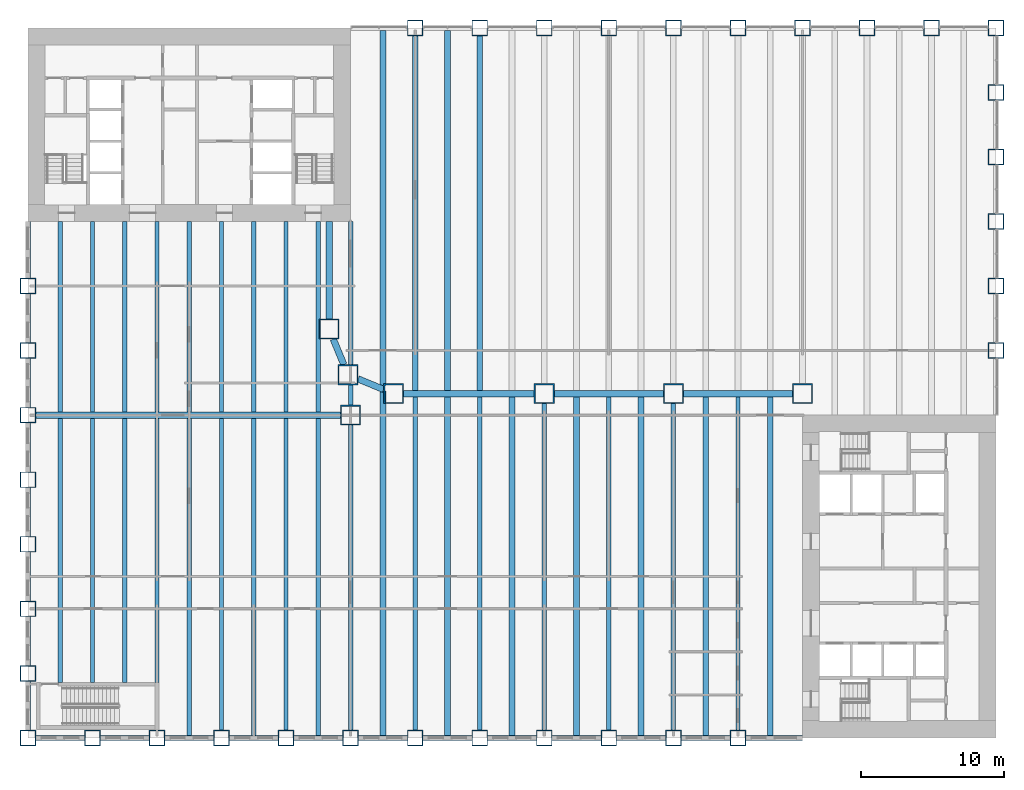
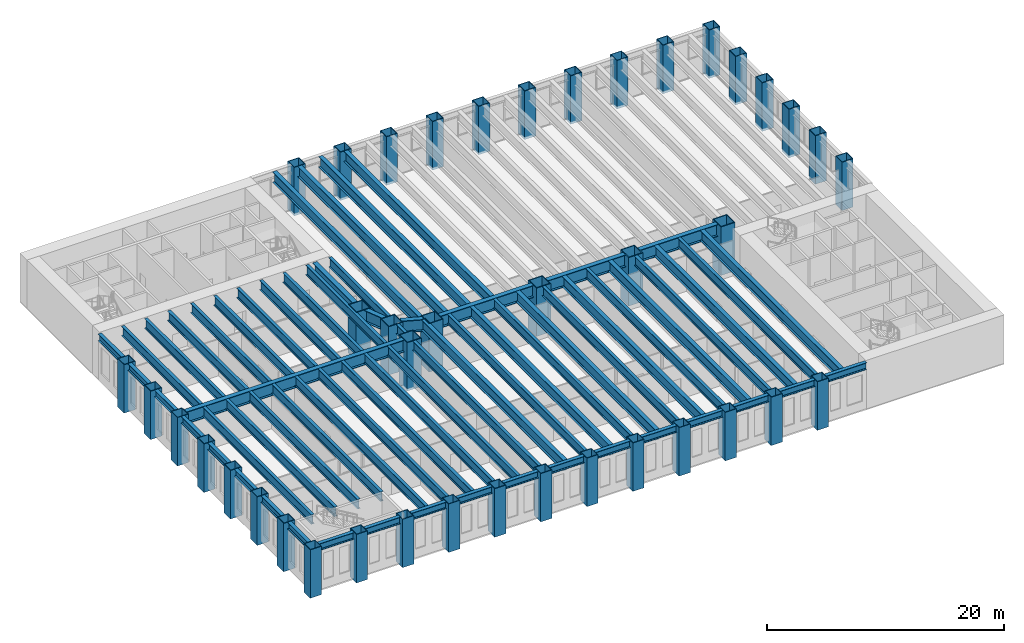
# One storey, part 1 of 19: 65 beams, 41 columns.
"""IFC4 building model written with IfcOpenShell, lengths in metres."""

from ifc_helpers import new_model, si_unit, direction, frame, origin, origin_2d, place, context, subcontext, project, spatial, hollow_rectangle, i_section, extrude, material, material_profile, profile_set, type_object, element, save


model = new_model("IFC4")

# Units and contexts
model_context = context("Model", 3, precision=1e-05, world=origin(), true_north=direction((0.0, 1.0)))
body_context = subcontext(model_context, "Body", "Model", "MODEL_VIEW")
ifc_project = project(units=[si_unit("LENGTHUNIT", "METRE"), si_unit("AREAUNIT", "SQUARE_METRE"), si_unit("VOLUMEUNIT", "CUBIC_METRE"), si_unit("PLANEANGLEUNIT", "RADIAN"), si_unit("MASSUNIT", "GRAM", prefix="KILO")], contexts=[model_context])

# Site, building, storey
site_placement = place(None, origin())
site = spatial("IfcSite", under=ifc_project, at=site_placement, CompositionType="ELEMENT")
building_placement = place(site_placement, origin())
building = spatial("IfcBuilding", under=site, at=building_placement, Name="Sennacour Bend Tower", CompositionType="ELEMENT")
storey_placement = place(building_placement, frame((0.0, 0.0, 19.0)))
storey = spatial("IfcBuildingStorey", under=building, at=storey_placement, Name="L03", CompositionType="ELEMENT", Elevation=19.0)

# Columns
ifc_material_1 = material(Name="Steel ASTM A572 Grade 50", Category="steel")
ifc_material_profile_1 = material_profile(ifc_material_1, hollow_rectangle(XDim=1.10009765625, YDim=1.10009765625, WallThickness=0.06005859375, at=origin_2d()), Name="Steel ASTM A572 Grade 50", Category="steel")
ifc_profile_set_1 = profile_set([ifc_material_profile_1], Name="Steel ASTM A572 Grade 50")
column_type_1 = type_object("IfcColumnType", Name="Box column 1100", PredefinedType="COLUMN", material=ifc_profile_set_1)
for number, where, z_axis, x_axis, name in (
    (1, (0.0, 0.0, -0.25), (0.0, 0.0, 1.0), (1.0, 0.0, 0.0), "Perimeter column C1 L03-001"),
    (2, (0.0, 4.5, -0.25), (0.0, 0.0, 1.0), (1.0, 0.0, 0.0), "Perimeter column C1 L03-002"),
    (3, (0.0, 9.0, -0.25), (0.0, 0.0, 1.0), (1.0, 0.0, 0.0), "Perimeter column C1 L03-003"),
    (4, (0.0, 13.5, -0.25), (0.0, 0.0, 1.0), (1.0, 0.0, 0.0), "Perimeter column C1 L03-004"),
    (5, (0.0, 18.0, -0.25), (0.0, 0.0, 1.0), (1.0, 0.0, 0.0), "Perimeter column C1 L03-005"),
    (6, (0.0, 22.5, -0.25), (0.0, 0.0, 1.0), (1.0, 0.0, 0.0), "Perimeter column C1 L03-006"),
    (7, (0.0, 27.0, -0.25), (0.0, 0.0, 1.0), (1.0, 0.0, 0.0), "Perimeter column C1 L03-007"),
    (8, (0.0, 31.5, -0.25), (0.0, 0.0, 1.0), (1.0, 0.0, 0.0), "Perimeter column C1 L03-008"),
    (9, (4.5, 0.0, -0.25), (0.0, 0.0, 1.0), (1.0, 0.0, 0.0), "Perimeter column C1 L03-009"),
    (10, (9.0, 0.0, -0.25), (0.0, 0.0, 1.0), (1.0, 0.0, 0.0), "Perimeter column C1 L03-010"),
    (11, (13.5, 0.0, -0.25), (0.0, 0.0, 1.0), (1.0, 0.0, 0.0), "Perimeter column C1 L03-011"),
    (12, (18.0, 0.0, -0.25), (0.0, 0.0, 1.0), (1.0, 0.0, 0.0), "Perimeter column C1 L03-012"),
    (13, (22.5, 0.0, -0.25), (0.0, 0.0, 1.0), (1.0, 0.0, 0.0), "Perimeter column C1 L03-015"),
    (14, (27.0, 0.0, -0.25), (0.0, 0.0, 1.0), (1.0, 0.0, 0.0), "Perimeter column C1 L03-018"),
    (15, (27.0, 49.5, -0.25), (0.0, 0.0, 1.0), (1.0, 0.0, 0.0), "Perimeter column C1 L03-019"),
    (16, (31.5, 0.0, -0.25), (0.0, 0.0, 1.0), (1.0, 0.0, 0.0), "Perimeter column C1 L03-020"),
    (17, (31.5, 49.5, -0.25), (0.0, 0.0, 1.0), (1.0, 0.0, 0.0), "Perimeter column C1 L03-021"),
    (18, (36.0, 0.0, -0.25), (0.0, 0.0, 1.0), (1.0, 0.0, 0.0), "Perimeter column C1 L03-022"),
    (19, (36.0, 49.5, -0.25), (0.0, 0.0, 1.0), (1.0, 0.0, 0.0), "Perimeter column C1 L03-024"),
    (20, (40.5, 0.0, -0.25), (0.0, 0.0, 1.0), (1.0, 0.0, 0.0), "Perimeter column C1 L03-025"),
    (21, (40.5, 49.5, -0.25), (0.0, 0.0, 1.0), (1.0, 0.0, 0.0), "Perimeter column C1 L03-026"),
    (22, (45.0, 0.0, -0.25), (0.0, 0.0, 1.0), (1.0, 0.0, 0.0), "Perimeter column C1 L03-027"),
    (23, (45.0, 49.5, -0.25), (0.0, 0.0, 1.0), (1.0, 0.0, 0.0), "Perimeter column C1 L03-029"),
    (24, (49.5, 0.0, -0.25), (0.0, 0.0, 1.0), (1.0, 0.0, 0.0), "Perimeter column C1 L03-030"),
    (25, (49.5, 49.5, -0.25), (0.0, 0.0, 1.0), (1.0, 0.0, 0.0), "Perimeter column C1 L03-031"),
    (26, (54.0, 49.5, -0.25), (0.0, 0.0, 1.0), (1.0, 0.0, 0.0), "Perimeter column C1 L03-033"),
    (27, (58.5, 49.5, -0.25), (0.0, 0.0, 1.0), (1.0, 0.0, 0.0), "Perimeter column C1 L03-034"),
    (28, (63.0, 49.5, -0.25), (0.0, 0.0, 1.0), (1.0, 0.0, 0.0), "Perimeter column C1 L03-035"),
    (29, (67.5, 27.0, -0.25), (0.0, 0.0, 1.0), (1.0, 0.0, 0.0), "Perimeter column C1 L03-036"),
    (30, (67.5, 31.5, -0.25), (0.0, 0.0, 1.0), (1.0, 0.0, 0.0), "Perimeter column C1 L03-037"),
    (31, (67.5, 36.0, -0.25), (0.0, 0.0, 1.0), (1.0, 0.0, 0.0), "Perimeter column C1 L03-038"),
    (32, (67.5, 40.5, -0.25), (0.0, 0.0, 1.0), (1.0, 0.0, 0.0), "Perimeter column C1 L03-039"),
    (33, (67.5, 45.0, -0.25), (0.0, 0.0, 1.0), (1.0, 0.0, 0.0), "Perimeter column C1 L03-040"),
    (34, (67.5, 49.5, -0.25), (0.0, 0.0, 1.0), (1.0, 0.0, 0.0), "Perimeter column C1 L03-041"),
):
    element("IfcColumn", number, at=place(storey_placement, frame(where, z_axis=z_axis, x_axis=x_axis)), inside=storey, type_object=column_type_1, Name=name, PredefinedType="COLUMN", context=body_context, shape_type="SweptSolid", body=[
        extrude(hollow_rectangle(XDim=1.10009765625, YDim=1.10009765625, WallThickness=0.06005859375, at=origin_2d()), origin(), (0.0, 0.0, 1.0), 5.0),
    ])
ifc_material_profile_2 = material_profile(ifc_material_1, hollow_rectangle(XDim=1.39990234375, YDim=1.39990234375, WallThickness=0.080078125, at=origin_2d()), Name="Steel ASTM A572 Grade 50", Category="steel")
ifc_profile_set_2 = profile_set([ifc_material_profile_2], Name="Steel ASTM A572 Grade 50")
column_type_2 = type_object("IfcColumnType", Name="Mega box column 1400", PredefinedType="COLUMN", material=ifc_profile_set_2)
for number, where, z_axis, x_axis, name in (
    (35, (21.0, 28.5, -0.25), (0.0, 0.0, 1.0), (1.0, 0.0, 0.0), "Mega column C0 L03-013"),
    (36, (22.318115234375, 25.318115234375, -0.25), (0.0, 0.0, 1.0), (1.0, 0.0, 0.0), "Mega column C0 L03-014"),
    (37, (22.5, 22.5, -0.25), (0.0, 0.0, 1.0), (1.0, 0.0, 0.0), "Knuckle column C0 L03-016"),
    (38, (25.5, 24.0, -0.25), (0.0, 0.0, 1.0), (1.0, 0.0, 0.0), "Mega column C0 L03-017"),
    (39, (36.0, 24.0, -0.25), (0.0, 0.0, 1.0), (1.0, 0.0, 0.0), "Mega column C0 L03-023"),
    (40, (45.0, 24.0, -0.25), (0.0, 0.0, 1.0), (1.0, 0.0, 0.0), "Mega column C0 L03-028"),
    (41, (54.0, 24.0, -0.25), (0.0, 0.0, 1.0), (1.0, 0.0, 0.0), "Mega column C0 L03-032"),
):
    element("IfcColumn", number, at=place(storey_placement, frame(where, z_axis=z_axis, x_axis=x_axis)), inside=storey, type_object=column_type_2, Name=name, PredefinedType="COLUMN", context=body_context, shape_type="SweptSolid", body=[
        extrude(hollow_rectangle(XDim=1.39990234375, YDim=1.39990234375, WallThickness=0.080078125, at=origin_2d()), origin(), (0.0, 0.0, 1.0), 5.0),
    ])

# Beams
ifc_material_2 = material(Name="Steel ASTM A992 Grade 50", Category="steel")
ifc_material_profile_3 = material_profile(ifc_material_2, i_section(OverallWidth=0.300048828125, OverallDepth=0.990966796875, WebThickness=0.0166015625, FlangeThickness=0.030517578125, FilletRadius=0.030029296875, at=origin_2d()), Name="Steel ASTM A992 Grade 50", Category="steel")
ifc_profile_set_3 = profile_set([ifc_material_profile_3], Name="Steel ASTM A992 Grade 50")
beam_type_1 = type_object("IfcBeamType", Name="Floor beam W1000X272", PredefinedType="BEAM", material=ifc_profile_set_3)
beam_1_placement = place(storey_placement, frame((2.25, 3.875, 4.25439453125), z_axis=(0.0, 1.0, 0.0), x_axis=(-1.0, 0.0, 0.0)))
element("IfcBeam", 42, at=beam_1_placement, inside=storey, type_object=beam_type_1, Name="Floor beam FBM3 L04-001", PredefinedType="BEAM", context=body_context, shape_type="SweptSolid", body=[
    extrude(i_section(OverallWidth=0.300048828125, OverallDepth=0.990966796875, WebThickness=0.0166015625, FlangeThickness=0.030517578125, FilletRadius=0.030029296875, at=origin_2d()), origin(), (0.0, 0.0, 1.0), 18.39990234375),
])
beam_2_placement = place(storey_placement, frame((2.25, 22.72509765625, 4.25439453125), z_axis=(0.0, 1.0, 0.0), x_axis=(-1.0, 0.0, 0.0)))
element("IfcBeam", 43, at=beam_2_placement, inside=storey, type_object=beam_type_1, Name="Floor beam FBM3 L04-002", PredefinedType="BEAM", context=body_context, shape_type="SweptSolid", body=[
    extrude(i_section(OverallWidth=0.300048828125, OverallDepth=0.990966796875, WebThickness=0.0166015625, FlangeThickness=0.030517578125, FilletRadius=0.030029296875, at=origin_2d()), origin(), (0.0, 0.0, 1.0), 13.27490234375),
])
beam_3_placement = place(storey_placement, frame((4.5, 3.875, 4.25439453125), z_axis=(0.0, 1.0, 0.0), x_axis=(-1.0, 0.0, 0.0)))
element("IfcBeam", 44, at=beam_3_placement, inside=storey, type_object=beam_type_1, Name="Floor beam FBM3 L04-003", PredefinedType="BEAM", context=body_context, shape_type="SweptSolid", body=[
    extrude(i_section(OverallWidth=0.300048828125, OverallDepth=0.990966796875, WebThickness=0.0166015625, FlangeThickness=0.030517578125, FilletRadius=0.030029296875, at=origin_2d()), origin(), (0.0, 0.0, 1.0), 18.39990234375),
])
beam_4_placement = place(storey_placement, frame((4.5, 22.72509765625, 4.25439453125), z_axis=(0.0, 1.0, 0.0), x_axis=(-1.0, 0.0, 0.0)))
element("IfcBeam", 45, at=beam_4_placement, inside=storey, type_object=beam_type_1, Name="Floor beam FBM3 L04-004", PredefinedType="BEAM", context=body_context, shape_type="SweptSolid", body=[
    extrude(i_section(OverallWidth=0.300048828125, OverallDepth=0.990966796875, WebThickness=0.0166015625, FlangeThickness=0.030517578125, FilletRadius=0.030029296875, at=origin_2d()), origin(), (0.0, 0.0, 1.0), 13.27490234375),
])
beam_5_placement = place(storey_placement, frame((6.75, 3.875, 4.25439453125), z_axis=(0.0, 1.0, 0.0), x_axis=(-1.0, 0.0, 0.0)))
element("IfcBeam", 46, at=beam_5_placement, inside=storey, type_object=beam_type_1, Name="Floor beam FBM3 L04-005", PredefinedType="BEAM", context=body_context, shape_type="SweptSolid", body=[
    extrude(i_section(OverallWidth=0.300048828125, OverallDepth=0.990966796875, WebThickness=0.0166015625, FlangeThickness=0.030517578125, FilletRadius=0.030029296875, at=origin_2d()), origin(), (0.0, 0.0, 1.0), 18.39990234375),
])
beam_6_placement = place(storey_placement, frame((6.75, 22.72509765625, 4.25439453125), z_axis=(0.0, 1.0, 0.0), x_axis=(-1.0, 0.0, 0.0)))
element("IfcBeam", 47, at=beam_6_placement, inside=storey, type_object=beam_type_1, Name="Floor beam FBM3 L04-006", PredefinedType="BEAM", context=body_context, shape_type="SweptSolid", body=[
    extrude(i_section(OverallWidth=0.300048828125, OverallDepth=0.990966796875, WebThickness=0.0166015625, FlangeThickness=0.030517578125, FilletRadius=0.030029296875, at=origin_2d()), origin(), (0.0, 0.0, 1.0), 13.27490234375),
])
beam_7_placement = place(storey_placement, frame((9.0, 3.875, 4.25439453125), z_axis=(0.0, 1.0, 0.0), x_axis=(-1.0, 0.0, 0.0)))
element("IfcBeam", 48, at=beam_7_placement, inside=storey, type_object=beam_type_1, Name="Floor beam FBM3 L04-007", PredefinedType="BEAM", context=body_context, shape_type="SweptSolid", body=[
    extrude(i_section(OverallWidth=0.300048828125, OverallDepth=0.990966796875, WebThickness=0.0166015625, FlangeThickness=0.030517578125, FilletRadius=0.030029296875, at=origin_2d()), origin(), (0.0, 0.0, 1.0), 18.39990234375),
])
beam_8_placement = place(storey_placement, frame((9.0, 22.72509765625, 4.25439453125), z_axis=(0.0, 1.0, 0.0), x_axis=(-1.0, 0.0, 0.0)))
element("IfcBeam", 49, at=beam_8_placement, inside=storey, type_object=beam_type_1, Name="Floor beam FBM3 L04-008", PredefinedType="BEAM", context=body_context, shape_type="SweptSolid", body=[
    extrude(i_section(OverallWidth=0.300048828125, OverallDepth=0.990966796875, WebThickness=0.0166015625, FlangeThickness=0.030517578125, FilletRadius=0.030029296875, at=origin_2d()), origin(), (0.0, 0.0, 1.0), 13.27490234375),
])
beam_9_placement = place(storey_placement, frame((11.25, 0.177978515625, 4.25439453125), z_axis=(0.0, 1.0, 0.0), x_axis=(-1.0, 0.0, 0.0)))
element("IfcBeam", 50, at=beam_9_placement, inside=storey, type_object=beam_type_1, Name="Floor beam FBM3 L04-009", PredefinedType="BEAM", context=body_context, shape_type="SweptSolid", body=[
    extrude(i_section(OverallWidth=0.300048828125, OverallDepth=0.990966796875, WebThickness=0.0166015625, FlangeThickness=0.030517578125, FilletRadius=0.030029296875, at=origin_2d()), origin(), (0.0, 0.0, 1.0), 22.096923828125),
])
beam_10_placement = place(storey_placement, frame((11.25, 22.72509765625, 4.25439453125), z_axis=(0.0, 1.0, 0.0), x_axis=(-1.0, 0.0, 0.0)))
element("IfcBeam", 51, at=beam_10_placement, inside=storey, type_object=beam_type_1, Name="Floor beam FBM3 L04-010", PredefinedType="BEAM", context=body_context, shape_type="SweptSolid", body=[
    extrude(i_section(OverallWidth=0.300048828125, OverallDepth=0.990966796875, WebThickness=0.0166015625, FlangeThickness=0.030517578125, FilletRadius=0.030029296875, at=origin_2d()), origin(), (0.0, 0.0, 1.0), 13.27490234375),
])
beam_11_placement = place(storey_placement, frame((13.5, 0.550048828125, 4.25439453125), z_axis=(0.0, 1.0, 0.0), x_axis=(-1.0, 0.0, 0.0)))
element("IfcBeam", 52, at=beam_11_placement, inside=storey, type_object=beam_type_1, Name="Floor beam FBM3 L04-011", PredefinedType="BEAM", context=body_context, shape_type="SweptSolid", body=[
    extrude(i_section(OverallWidth=0.300048828125, OverallDepth=0.990966796875, WebThickness=0.0166015625, FlangeThickness=0.030517578125, FilletRadius=0.030029296875, at=origin_2d()), origin(), (0.0, 0.0, 1.0), 21.724853515625),
])
beam_12_placement = place(storey_placement, frame((13.5, 22.72509765625, 4.25439453125), z_axis=(0.0, 1.0, 0.0), x_axis=(-1.0, 0.0, 0.0)))
element("IfcBeam", 53, at=beam_12_placement, inside=storey, type_object=beam_type_1, Name="Floor beam FBM3 L04-012", PredefinedType="BEAM", context=body_context, shape_type="SweptSolid", body=[
    extrude(i_section(OverallWidth=0.300048828125, OverallDepth=0.990966796875, WebThickness=0.0166015625, FlangeThickness=0.030517578125, FilletRadius=0.030029296875, at=origin_2d()), origin(), (0.0, 0.0, 1.0), 13.27490234375),
])
beam_13_placement = place(storey_placement, frame((15.75, 0.177978515625, 4.25439453125), z_axis=(0.0, 1.0, 0.0), x_axis=(-1.0, 0.0, 0.0)))
element("IfcBeam", 54, at=beam_13_placement, inside=storey, type_object=beam_type_1, Name="Floor beam FBM3 L04-013", PredefinedType="BEAM", context=body_context, shape_type="SweptSolid", body=[
    extrude(i_section(OverallWidth=0.300048828125, OverallDepth=0.990966796875, WebThickness=0.0166015625, FlangeThickness=0.030517578125, FilletRadius=0.030029296875, at=origin_2d()), origin(), (0.0, 0.0, 1.0), 22.096923828125),
])
beam_14_placement = place(storey_placement, frame((15.75, 22.72509765625, 4.25439453125), z_axis=(0.0, 1.0, 0.0), x_axis=(-1.0, 0.0, 0.0)))
element("IfcBeam", 55, at=beam_14_placement, inside=storey, type_object=beam_type_1, Name="Floor beam FBM3 L04-014", PredefinedType="BEAM", context=body_context, shape_type="SweptSolid", body=[
    extrude(i_section(OverallWidth=0.300048828125, OverallDepth=0.990966796875, WebThickness=0.0166015625, FlangeThickness=0.030517578125, FilletRadius=0.030029296875, at=origin_2d()), origin(), (0.0, 0.0, 1.0), 13.27490234375),
])
beam_15_placement = place(storey_placement, frame((18.0, 0.550048828125, 4.25439453125), z_axis=(0.0, 1.0, 0.0), x_axis=(-1.0, 0.0, 0.0)))
element("IfcBeam", 56, at=beam_15_placement, inside=storey, type_object=beam_type_1, Name="Floor beam FBM3 L04-015", PredefinedType="BEAM", context=body_context, shape_type="SweptSolid", body=[
    extrude(i_section(OverallWidth=0.300048828125, OverallDepth=0.990966796875, WebThickness=0.0166015625, FlangeThickness=0.030517578125, FilletRadius=0.030029296875, at=origin_2d()), origin(), (0.0, 0.0, 1.0), 21.724853515625),
])
beam_16_placement = place(storey_placement, frame((18.0, 22.72509765625, 4.25439453125), z_axis=(0.0, 1.0, 0.0), x_axis=(-1.0, 0.0, 0.0)))
element("IfcBeam", 57, at=beam_16_placement, inside=storey, type_object=beam_type_1, Name="Floor beam FBM3 L04-016", PredefinedType="BEAM", context=body_context, shape_type="SweptSolid", body=[
    extrude(i_section(OverallWidth=0.300048828125, OverallDepth=0.990966796875, WebThickness=0.0166015625, FlangeThickness=0.030517578125, FilletRadius=0.030029296875, at=origin_2d()), origin(), (0.0, 0.0, 1.0), 13.27490234375),
])
beam_17_placement = place(storey_placement, frame((20.25, 0.177978515625, 4.25439453125), z_axis=(0.0, 1.0, 0.0), x_axis=(-1.0, 0.0, 0.0)))
element("IfcBeam", 58, at=beam_17_placement, inside=storey, type_object=beam_type_1, Name="Floor beam FBM3 L04-017", PredefinedType="BEAM", context=body_context, shape_type="SweptSolid", body=[
    extrude(i_section(OverallWidth=0.300048828125, OverallDepth=0.990966796875, WebThickness=0.0166015625, FlangeThickness=0.030517578125, FilletRadius=0.030029296875, at=origin_2d()), origin(), (0.0, 0.0, 1.0), 22.096923828125),
])
beam_18_placement = place(storey_placement, frame((20.25, 22.72509765625, 4.25439453125), z_axis=(0.0, 1.0, 0.0), x_axis=(-1.0, 0.0, 0.0)))
element("IfcBeam", 59, at=beam_18_placement, inside=storey, type_object=beam_type_1, Name="Floor beam FBM3 L04-018", PredefinedType="BEAM", context=body_context, shape_type="SweptSolid", body=[
    extrude(i_section(OverallWidth=0.300048828125, OverallDepth=0.990966796875, WebThickness=0.0166015625, FlangeThickness=0.030517578125, FilletRadius=0.030029296875, at=origin_2d()), origin(), (0.0, 0.0, 1.0), 13.27490234375),
])
beam_19_placement = place(storey_placement, frame((22.5, 0.550048828125, 4.25439453125), z_axis=(0.0, 1.0, 0.0), x_axis=(-1.0, 0.0, 0.0)))
element("IfcBeam", 60, at=beam_19_placement, inside=storey, type_object=beam_type_1, Name="Floor beam FBM3 L04-019", PredefinedType="BEAM", context=body_context, shape_type="SweptSolid", body=[
    extrude(i_section(OverallWidth=0.300048828125, OverallDepth=0.990966796875, WebThickness=0.0166015625, FlangeThickness=0.030517578125, FilletRadius=0.030029296875, at=origin_2d()), origin(), (0.0, 0.0, 1.0), 21.25),
])
beam_20_placement = place(storey_placement, frame((22.5, 23.199951171875, 4.25439453125), z_axis=(0.0, 1.0, 0.0), x_axis=(-1.0, 0.0, 0.0)))
element("IfcBeam", 61, at=beam_20_placement, inside=storey, type_object=beam_type_1, Name="Floor beam FBM3 L04-020", PredefinedType="BEAM", context=body_context, shape_type="SweptSolid", body=[
    extrude(i_section(OverallWidth=0.300048828125, OverallDepth=0.990966796875, WebThickness=0.0166015625, FlangeThickness=0.030517578125, FilletRadius=0.030029296875, at=origin_2d()), origin(), (0.0, 0.0, 1.0), 1.41796875),
])
beam_21_placement = place(storey_placement, frame((22.5, 26.01806640625, 4.25439453125), z_axis=(0.0, 1.0, 0.0), x_axis=(-1.0, 0.0, 0.0)))
element("IfcBeam", 62, at=beam_21_placement, inside=storey, type_object=beam_type_1, Name="Floor beam FBM3 L04-021", PredefinedType="BEAM", context=body_context, shape_type="SweptSolid", body=[
    extrude(i_section(OverallWidth=0.300048828125, OverallDepth=0.990966796875, WebThickness=0.0166015625, FlangeThickness=0.030517578125, FilletRadius=0.030029296875, at=origin_2d()), origin(), (0.0, 0.0, 1.0), 9.98193359375),
])
for number, where, z_axis, x_axis, name in (
    (63, (27.0, 0.550048828125, 4.25439453125), (0.0, 1.0, 0.0), (-1.0, 0.0, 0.0), "Floor beam FBM3 L04-024"),
    (64, (31.5, 0.550048828125, 4.25439453125), (0.0, 1.0, 0.0), (-1.0, 0.0, 0.0), "Floor beam FBM3 L04-028"),
):
    element("IfcBeam", number, at=place(storey_placement, frame(where, z_axis=z_axis, x_axis=x_axis)), inside=storey, type_object=beam_type_1, Name=name, PredefinedType="BEAM", context=body_context, shape_type="SweptSolid", body=[
        extrude(i_section(OverallWidth=0.300048828125, OverallDepth=0.990966796875, WebThickness=0.0166015625, FlangeThickness=0.030517578125, FilletRadius=0.030029296875, at=origin_2d()), origin(), (0.0, 0.0, 1.0), 23.224853515625),
    ])
beam_22_placement = place(storey_placement, frame((36.0, 0.550048828125, 4.25439453125), z_axis=(0.0, 1.0, 0.0), x_axis=(-1.0, 0.0, 0.0)))
element("IfcBeam", 65, at=beam_22_placement, inside=storey, type_object=beam_type_1, Name="Floor beam FBM3 L04-032", PredefinedType="BEAM", context=body_context, shape_type="SweptSolid", body=[
    extrude(i_section(OverallWidth=0.300048828125, OverallDepth=0.990966796875, WebThickness=0.0166015625, FlangeThickness=0.030517578125, FilletRadius=0.030029296875, at=origin_2d()), origin(), (0.0, 0.0, 1.0), 22.75),
])
beam_23_placement = place(storey_placement, frame((40.5, 0.550048828125, 4.25439453125), z_axis=(0.0, 1.0, 0.0), x_axis=(-1.0, 0.0, 0.0)))
element("IfcBeam", 66, at=beam_23_placement, inside=storey, type_object=beam_type_1, Name="Floor beam FBM3 L04-036", PredefinedType="BEAM", context=body_context, shape_type="SweptSolid", body=[
    extrude(i_section(OverallWidth=0.300048828125, OverallDepth=0.990966796875, WebThickness=0.0166015625, FlangeThickness=0.030517578125, FilletRadius=0.030029296875, at=origin_2d()), origin(), (0.0, 0.0, 1.0), 23.224853515625),
])
beam_24_placement = place(storey_placement, frame((45.0, 0.550048828125, 4.25439453125), z_axis=(0.0, 1.0, 0.0), x_axis=(-1.0, 0.0, 0.0)))
element("IfcBeam", 67, at=beam_24_placement, inside=storey, type_object=beam_type_1, Name="Floor beam FBM3 L04-040", PredefinedType="BEAM", context=body_context, shape_type="SweptSolid", body=[
    extrude(i_section(OverallWidth=0.300048828125, OverallDepth=0.990966796875, WebThickness=0.0166015625, FlangeThickness=0.030517578125, FilletRadius=0.030029296875, at=origin_2d()), origin(), (0.0, 0.0, 1.0), 22.75),
])
beam_25_placement = place(storey_placement, frame((49.5, 0.550048828125, 4.25439453125), z_axis=(0.0, 1.0, 0.0), x_axis=(-1.0, 0.0, 0.0)))
element("IfcBeam", 68, at=beam_25_placement, inside=storey, type_object=beam_type_1, Name="Floor beam FBM3 L04-044", PredefinedType="BEAM", context=body_context, shape_type="SweptSolid", body=[
    extrude(i_section(OverallWidth=0.300048828125, OverallDepth=0.990966796875, WebThickness=0.0166015625, FlangeThickness=0.030517578125, FilletRadius=0.030029296875, at=origin_2d()), origin(), (0.0, 0.0, 1.0), 23.224853515625),
])
ifc_material_profile_4 = material_profile(ifc_material_1, i_section(OverallWidth=0.449951171875, OverallDepth=1.25, WebThickness=0.028076171875, FlangeThickness=0.050048828125, at=origin_2d()), Name="Steel ASTM A572 Grade 50", Category="steel")
ifc_profile_set_4 = profile_set([ifc_material_profile_4], Name="Steel ASTM A572 Grade 50")
beam_type_2 = type_object("IfcBeamType", Name="Knuckle girder 1250", PredefinedType="USERDEFINED", material=ifc_profile_set_4)
for number, where, z_axis, x_axis, name in (
    (69, (24.800048828125, 24.2900390625, 4.125), (-0.923894961945, 0.382646180293, 0.0), (-0.382646180293, -0.923894961945, 0.0), "Podium girder GK L04-001"),
    (70, (22.028076171875, 26.01806640625, 4.125), (-0.382646180293, 0.923894961945, 0.0), (-0.923894961945, -0.382646180293, 0.0), "Podium girder GK L04-002"),
):
    element("IfcBeam", number, at=place(storey_placement, frame(where, z_axis=z_axis, x_axis=x_axis)), inside=storey, type_object=beam_type_2, Name=name, ObjectType="KNUCKLE GIRDER", PredefinedType="USERDEFINED", context=body_context, shape_type="SweptSolid", body=[
        extrude(i_section(OverallWidth=0.449951171875, OverallDepth=1.25, WebThickness=0.028076171875, FlangeThickness=0.050048828125, at=origin_2d()), origin(), (0.0, 0.0, 1.0), 1.9287109375),
    ])
for number, where, z_axis, x_axis, name in (
    (71, (53.300048828125, 24.0, 4.125), (-1.0, 0.0, 0.0), (0.0, -1.0, 0.0), "Podium girder GK L04-003"),
    (72, (44.300048828125, 24.0, 4.125), (-1.0, 0.0, 0.0), (0.0, -1.0, 0.0), "Podium girder GK L04-004"),
):
    element("IfcBeam", number, at=place(storey_placement, frame(where, z_axis=z_axis, x_axis=x_axis)), inside=storey, type_object=beam_type_2, Name=name, ObjectType="KNUCKLE GIRDER", PredefinedType="USERDEFINED", context=body_context, shape_type="SweptSolid", body=[
        extrude(i_section(OverallWidth=0.449951171875, OverallDepth=1.25, WebThickness=0.028076171875, FlangeThickness=0.050048828125, at=origin_2d()), origin(), (0.0, 0.0, 1.0), 7.60009765625),
    ])
beam_26_placement = place(storey_placement, frame((35.300048828125, 24.0, 4.125), z_axis=(-1.0, 0.0, 0.0), x_axis=(0.0, -1.0, 0.0)))
element("IfcBeam", 73, at=beam_26_placement, inside=storey, type_object=beam_type_2, Name="Podium girder GK L04-005", ObjectType="KNUCKLE GIRDER", PredefinedType="USERDEFINED", context=body_context, shape_type="SweptSolid", body=[
    extrude(i_section(OverallWidth=0.449951171875, OverallDepth=1.25, WebThickness=0.028076171875, FlangeThickness=0.050048828125, at=origin_2d()), origin(), (0.0, 0.0, 1.0), 9.10009765625),
])
beam_27_placement = place(storey_placement, frame((21.0, 29.199951171875, 4.125), z_axis=(0.0, 1.0, 0.0), x_axis=(-1.0, 0.0, 0.0)))
element("IfcBeam", 74, at=beam_27_placement, inside=storey, type_object=beam_type_2, Name="Podium girder GK L04-006", ObjectType="KNUCKLE GIRDER", PredefinedType="USERDEFINED", context=body_context, shape_type="SweptSolid", body=[
    extrude(i_section(OverallWidth=0.449951171875, OverallDepth=1.25, WebThickness=0.028076171875, FlangeThickness=0.050048828125, at=origin_2d()), origin(), (0.0, 0.0, 1.0), 6.800048828125),
])
beam_28_placement = place(storey_placement, frame((0.550048828125, 22.5, 4.125), z_axis=(1.0, 0.0, 0.0), x_axis=(0.0, 1.0, 0.0)))
element("IfcBeam", 75, at=beam_28_placement, inside=storey, type_object=beam_type_2, Name="Knuckle girder GK L04-001", ObjectType="KNUCKLE GIRDER", PredefinedType="USERDEFINED", context=body_context, shape_type="SweptSolid", body=[
    extrude(i_section(OverallWidth=0.449951171875, OverallDepth=1.25, WebThickness=0.028076171875, FlangeThickness=0.050048828125, at=origin_2d()), origin(), (0.0, 0.0, 1.0), 21.25),
])
ifc_material_profile_5 = material_profile(ifc_material_2, i_section(OverallWidth=0.40087890625, OverallDepth=1.090087890625, WebThickness=0.01806640625, FlangeThickness=0.031005859375, FilletRadius=0.02001953125, at=origin_2d()), Name="Steel ASTM A992 Grade 50", Category="steel")
ifc_profile_set_5 = profile_set([ifc_material_profile_5], Name="Steel ASTM A992 Grade 50")
beam_type_3 = type_object("IfcBeamType", Name="Notch floor beam W1100X343", PredefinedType="BEAM", material=ifc_profile_set_5)
beam_29_placement = place(storey_placement, frame((24.75, 0.177978515625, 4.205078125), z_axis=(0.0, 1.0, 0.0), x_axis=(-1.0, 0.0, 0.0)))
element("IfcBeam", 76, at=beam_29_placement, inside=storey, type_object=beam_type_3, Name="Floor beam FBM4 L04-022", PredefinedType="BEAM", context=body_context, shape_type="SweptSolid", body=[
    extrude(i_section(OverallWidth=0.40087890625, OverallDepth=1.090087890625, WebThickness=0.01806640625, FlangeThickness=0.031005859375, FilletRadius=0.02001953125, at=origin_2d()), origin(), (0.0, 0.0, 1.0), 23.9912109375),
])
beam_30_placement = place(storey_placement, frame((24.75, 24.55419921875, 4.205078125), z_axis=(0.0, 1.0, 0.0), x_axis=(-1.0, 0.0, 0.0)))
element("IfcBeam", 77, at=beam_30_placement, inside=storey, type_object=beam_type_3, Name="Floor beam FBM4 L04-023", PredefinedType="BEAM", context=body_context, shape_type="SweptSolid", body=[
    extrude(i_section(OverallWidth=0.40087890625, OverallDepth=1.090087890625, WebThickness=0.01806640625, FlangeThickness=0.031005859375, FilletRadius=0.02001953125, at=origin_2d()), origin(), (0.0, 0.0, 1.0), 24.767822265625),
])
beam_31_placement = place(storey_placement, frame((27.0, 24.22509765625, 4.205078125), z_axis=(0.0, 1.0, 0.0), x_axis=(-1.0, 0.0, 0.0)))
element("IfcBeam", 78, at=beam_31_placement, inside=storey, type_object=beam_type_3, Name="Floor beam FBM4 L04-025", PredefinedType="BEAM", context=body_context, shape_type="SweptSolid", body=[
    extrude(i_section(OverallWidth=0.40087890625, OverallDepth=1.090087890625, WebThickness=0.01806640625, FlangeThickness=0.031005859375, FilletRadius=0.02001953125, at=origin_2d()), origin(), (0.0, 0.0, 1.0), 24.724853515625),
])
beam_32_placement = place(storey_placement, frame((29.25, 0.177978515625, 4.205078125), z_axis=(0.0, 1.0, 0.0), x_axis=(-1.0, 0.0, 0.0)))
element("IfcBeam", 79, at=beam_32_placement, inside=storey, type_object=beam_type_3, Name="Floor beam FBM4 L04-026", PredefinedType="BEAM", context=body_context, shape_type="SweptSolid", body=[
    extrude(i_section(OverallWidth=0.40087890625, OverallDepth=1.090087890625, WebThickness=0.01806640625, FlangeThickness=0.031005859375, FilletRadius=0.02001953125, at=origin_2d()), origin(), (0.0, 0.0, 1.0), 23.596923828125),
])
beam_33_placement = place(storey_placement, frame((29.25, 24.22509765625, 4.205078125), z_axis=(0.0, 1.0, 0.0), x_axis=(-1.0, 0.0, 0.0)))
element("IfcBeam", 80, at=beam_33_placement, inside=storey, type_object=beam_type_3, Name="Floor beam FBM4 L04-027", PredefinedType="BEAM", context=body_context, shape_type="SweptSolid", body=[
    extrude(i_section(OverallWidth=0.40087890625, OverallDepth=1.090087890625, WebThickness=0.01806640625, FlangeThickness=0.031005859375, FilletRadius=0.02001953125, at=origin_2d()), origin(), (0.0, 0.0, 1.0), 25.096923828125),
])
beam_34_placement = place(storey_placement, frame((31.5, 24.22509765625, 4.205078125), z_axis=(0.0, 1.0, 0.0), x_axis=(-1.0, 0.0, 0.0)))
element("IfcBeam", 81, at=beam_34_placement, inside=storey, type_object=beam_type_3, Name="Floor beam FBM4 L04-029", PredefinedType="BEAM", context=body_context, shape_type="SweptSolid", body=[
    extrude(i_section(OverallWidth=0.40087890625, OverallDepth=1.090087890625, WebThickness=0.01806640625, FlangeThickness=0.031005859375, FilletRadius=0.02001953125, at=origin_2d()), origin(), (0.0, 0.0, 1.0), 24.724853515625),
])
for number, where, z_axis, x_axis, name in (
    (82, (33.75, 0.177978515625, 4.205078125), (0.0, 1.0, 0.0), (-1.0, 0.0, 0.0), "Floor beam FBM4 L04-030"),
    (83, (38.25, 0.177978515625, 4.205078125), (0.0, 1.0, 0.0), (-1.0, 0.0, 0.0), "Floor beam FBM4 L04-034"),
    (84, (42.75, 0.177978515625, 4.205078125), (0.0, 1.0, 0.0), (-1.0, 0.0, 0.0), "Floor beam FBM4 L04-038"),
    (85, (47.25, 0.177978515625, 4.205078125), (0.0, 1.0, 0.0), (-1.0, 0.0, 0.0), "Floor beam FBM4 L04-042"),
    (86, (51.75, 0.177978515625, 4.205078125), (0.0, 1.0, 0.0), (-1.0, 0.0, 0.0), "Floor beam FBM4 L04-046"),
):
    element("IfcBeam", number, at=place(storey_placement, frame(where, z_axis=z_axis, x_axis=x_axis)), inside=storey, type_object=beam_type_3, Name=name, PredefinedType="BEAM", context=body_context, shape_type="SweptSolid", body=[
        extrude(i_section(OverallWidth=0.40087890625, OverallDepth=1.090087890625, WebThickness=0.01806640625, FlangeThickness=0.031005859375, FilletRadius=0.02001953125, at=origin_2d()), origin(), (0.0, 0.0, 1.0), 23.596923828125),
    ])
ifc_material_profile_6 = material_profile(ifc_material_2, i_section(OverallWidth=0.35595703125, OverallDepth=0.714111328125, WebThickness=0.01904296875, FlangeThickness=0.033935546875, FilletRadius=0.02001953125, at=origin_2d()), Name="Steel ASTM A992 Grade 50", Category="steel")
ifc_profile_set_6 = profile_set([ifc_material_profile_6], Name="Steel ASTM A992 Grade 50")
beam_type_4 = type_object("IfcBeamType", Name="Spandrel beam W690X289", PredefinedType="SPANDREL", material=ifc_profile_set_6)
beam_35_placement = place(storey_placement, frame((0.0, 36.0, 4.39306640625), z_axis=(0.0, -1.0, 0.0), x_axis=(1.0, 0.0, 0.0)))
element("IfcBeam", 87, at=beam_35_placement, inside=storey, type_object=beam_type_4, Name="Spandrel beam SP1 L04-016", PredefinedType="SPANDREL", context=body_context, shape_type="SweptSolid", body=[
    extrude(i_section(OverallWidth=0.35595703125, OverallDepth=0.714111328125, WebThickness=0.01904296875, FlangeThickness=0.033935546875, FilletRadius=0.02001953125, at=origin_2d()), origin(), (0.0, 0.0, 1.0), 3.949951171875),
])
for number, where, z_axis, x_axis, name in (
    (88, (0.0, 30.949951171875, 4.39306640625), (0.0, -1.0, 0.0), (1.0, 0.0, 0.0), "Spandrel beam SP1 L04-017"),
    (89, (0.0, 26.449951171875, 4.39306640625), (0.0, -1.0, 0.0), (1.0, 0.0, 0.0), "Spandrel beam SP1 L04-018"),
    (90, (0.0, 21.949951171875, 4.39306640625), (0.0, -1.0, 0.0), (1.0, 0.0, 0.0), "Spandrel beam SP1 L04-019"),
    (91, (0.0, 17.449951171875, 4.39306640625), (0.0, -1.0, 0.0), (1.0, 0.0, 0.0), "Spandrel beam SP1 L04-020"),
    (92, (0.0, 12.949951171875, 4.39306640625), (0.0, -1.0, 0.0), (1.0, 0.0, 0.0), "Spandrel beam SP1 L04-021"),
    (93, (0.0, 8.449951171875, 4.39306640625), (0.0, -1.0, 0.0), (1.0, 0.0, 0.0), "Spandrel beam SP1 L04-022"),
    (94, (0.0, 3.949951171875, 4.39306640625), (0.0, -1.0, 0.0), (1.0, 0.0, 0.0), "Spandrel beam SP1 L04-023"),
    (95, (0.550048828125, 0.0, 4.39306640625), (1.0, 0.0, 0.0), (0.0, 1.0, 0.0), "Spandrel beam SP1 L04-024"),
    (96, (5.050048828125, 0.0, 4.39306640625), (1.0, 0.0, 0.0), (0.0, 1.0, 0.0), "Spandrel beam SP1 L04-025"),
    (97, (9.550048828125, 0.0, 4.39306640625), (1.0, 0.0, 0.0), (0.0, 1.0, 0.0), "Spandrel beam SP1 L04-026"),
    (98, (14.050048828125, 0.0, 4.39306640625), (1.0, 0.0, 0.0), (0.0, 1.0, 0.0), "Spandrel beam SP1 L04-027"),
    (99, (18.550048828125, 0.0, 4.39306640625), (1.0, 0.0, 0.0), (0.0, 1.0, 0.0), "Spandrel beam SP1 L04-028"),
    (100, (23.050048828125, 0.0, 4.39306640625), (1.0, 0.0, 0.0), (0.0, 1.0, 0.0), "Spandrel beam SP1 L04-029"),
    (101, (27.550048828125, 0.0, 4.39306640625), (1.0, 0.0, 0.0), (0.0, 1.0, 0.0), "Spandrel beam SP1 L04-030"),
    (102, (32.050048828125, 0.0, 4.39306640625), (1.0, 0.0, 0.0), (0.0, 1.0, 0.0), "Spandrel beam SP1 L04-031"),
    (103, (36.550048828125, 0.0, 4.39306640625), (1.0, 0.0, 0.0), (0.0, 1.0, 0.0), "Spandrel beam SP1 L04-032"),
    (104, (41.050048828125, 0.0, 4.39306640625), (1.0, 0.0, 0.0), (0.0, 1.0, 0.0), "Spandrel beam SP1 L04-033"),
    (105, (45.550048828125, 0.0, 4.39306640625), (1.0, 0.0, 0.0), (0.0, 1.0, 0.0), "Spandrel beam SP1 L04-034"),
):
    element("IfcBeam", number, at=place(storey_placement, frame(where, z_axis=z_axis, x_axis=x_axis)), inside=storey, type_object=beam_type_4, Name=name, PredefinedType="SPANDREL", context=body_context, shape_type="SweptSolid", body=[
        extrude(i_section(OverallWidth=0.35595703125, OverallDepth=0.714111328125, WebThickness=0.01904296875, FlangeThickness=0.033935546875, FilletRadius=0.02001953125, at=origin_2d()), origin(), (0.0, 0.0, 1.0), 3.39990234375),
    ])
beam_36_placement = place(storey_placement, frame((50.050048828125, 0.0, 4.39306640625), z_axis=(1.0, 0.0, 0.0), x_axis=(0.0, 1.0, 0.0)))
element("IfcBeam", 106, at=beam_36_placement, inside=storey, type_object=beam_type_4, Name="Spandrel beam SP1 L04-035", PredefinedType="SPANDREL", context=body_context, shape_type="SweptSolid", body=[
    extrude(i_section(OverallWidth=0.35595703125, OverallDepth=0.714111328125, WebThickness=0.01904296875, FlangeThickness=0.033935546875, FilletRadius=0.02001953125, at=origin_2d()), origin(), (0.0, 0.0, 1.0), 3.949951171875),
])

save(model, "model.ifc")
